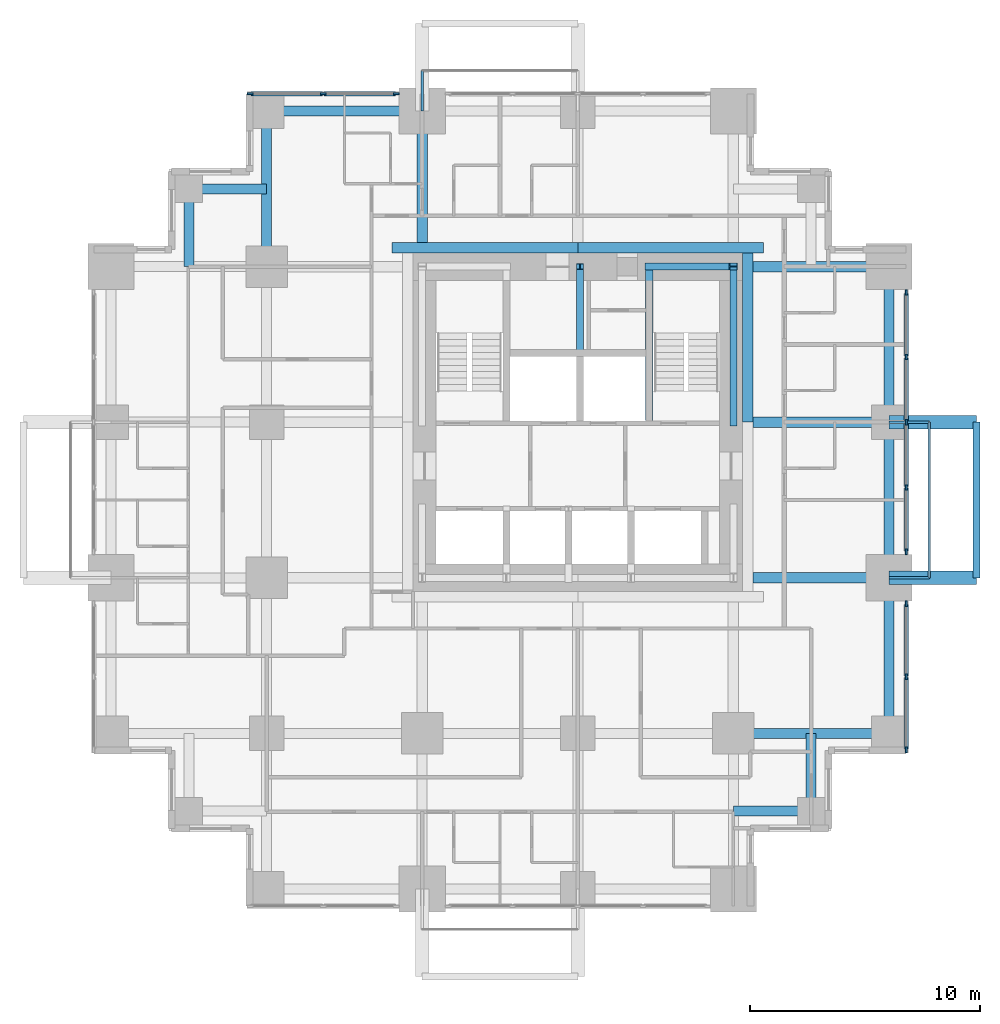
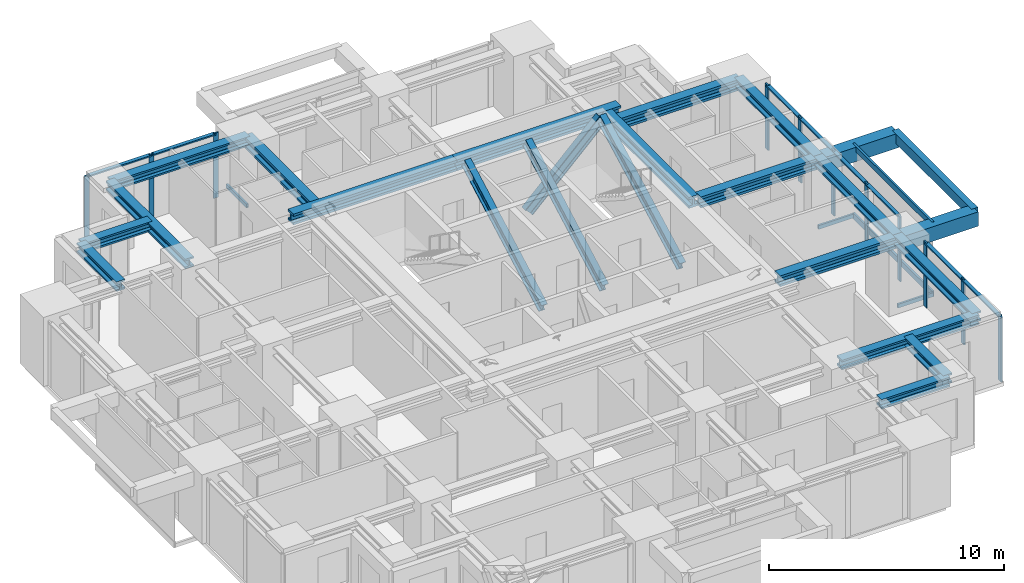
# One storey, part 3 of 10: 28 members, 20 beams, 3 elements without a shape of their own.
"""IFC4 building model written with IfcOpenShell, lengths in metres."""

from ifc_helpers import new_model, si_unit, direction, frame, origin, origin_2d, place, context, subcontext, project, spatial, rectangle, hollow_rectangle, i_section, extrude, material, material_profile, profile_set, type_object, element, aggregate, save


model = new_model("IFC4")

# Units and contexts
model_context = context("Model", 3, precision=1e-05, world=origin(), true_north=direction((0.0, 1.0)))
body_context = subcontext(model_context, "Body", "Model", "MODEL_VIEW")
ifc_project = project(units=[si_unit("LENGTHUNIT", "METRE"), si_unit("AREAUNIT", "SQUARE_METRE"), si_unit("VOLUMEUNIT", "CUBIC_METRE"), si_unit("PLANEANGLEUNIT", "RADIAN"), si_unit("MASSUNIT", "GRAM", prefix="KILO")], contexts=[model_context])

# Site, building, storey
site_placement = place(None, origin())
site = spatial("IfcSite", under=ifc_project, at=site_placement, CompositionType="ELEMENT")
building_placement = place(site_placement, origin())
building = spatial("IfcBuilding", under=site, at=building_placement, Name="Nyansa Garden Tower", CompositionType="ELEMENT")
storey_placement = place(building_placement, frame((0.0, 0.0, 145.800048828125)))
storey = spatial("IfcBuildingStorey", under=building, at=storey_placement, Name="L39", CompositionType="ELEMENT", Elevation=145.800048828125)

# Beams
ifc_material_1 = material(Name="Concrete C70/85", Category="concrete")
ifc_material_profile_1 = material_profile(ifc_material_1, rectangle(XDim=0.60009765625, YDim=0.75, at=origin_2d()), Name="RC 600x750")
ifc_profile_set_1 = profile_set([ifc_material_profile_1], Name="Concrete C70/85")
beam_type_1 = type_object("IfcBeamType", Name="Balcony cantilever beam CB1 RC 600x750", PredefinedType="BEAM", material=ifc_profile_set_1)
for number, where, z_axis, x_axis, name in (
    (1, (33.75, 13.5, 2.98486328125), (1.0, 0.0, 0.0), (0.0, 1.0, 0.0), "Balcony cantilever beam L40"),
    (2, (33.75, 20.25, 2.98486328125), (1.0, 0.0, 0.0), (0.0, 1.0, 0.0), "Balcony cantilever beam L40"),
):
    element("IfcBeam", number, at=place(storey_placement, frame(where, z_axis=z_axis, x_axis=x_axis)), inside=storey, type_object=beam_type_1, Name=name, PredefinedType="BEAM", context=body_context, shape_type="SweptSolid", body=[
        extrude(rectangle(XDim=0.60009765625, YDim=0.75, at=origin_2d()), origin(), (0.0, 0.0, 1.0), 3.800048828125),
    ])
ifc_material_2 = material(Name="Concrete C70/85", Category="concrete")
ifc_material_profile_2 = material_profile(ifc_material_2, rectangle(XDim=0.300048828125, YDim=0.5, at=origin_2d()), Name="RC 300x500")
ifc_profile_set_2 = profile_set([ifc_material_profile_2], Name="Concrete C70/85")
beam_type_2 = type_object("IfcBeamType", Name="Balcony edge beam BE1 RC 300x500", PredefinedType="BEAM", material=ifc_profile_set_2)
beam_1_placement = place(storey_placement, frame((37.550048828125, 13.5, 3.10986328125), z_axis=(0.0, 1.0, 0.0), x_axis=(-1.0, 0.0, 0.0)))
element("IfcBeam", 3, at=beam_1_placement, inside=storey, type_object=beam_type_2, Name="Balcony edge beam L40", PredefinedType="BEAM", context=body_context, shape_type="SweptSolid", body=[
    extrude(rectangle(XDim=0.300048828125, YDim=0.5, at=origin_2d()), origin(), (0.0, 0.0, 1.0), 6.75),
])

# Curtain wall, members
ifc_material_3 = material(Name="Black anodised aluminium, dark tinted double glazing", Category="aluminium")
curtain_wall_type = type_object("IfcCurtainWallType", Name="Inner skin curtain wall ISW-C", PredefinedType="USERDEFINED", material=ifc_material_3)
curtain_wall_1_placement = place(storey_placement, origin())
curtain_wall_1 = element("IfcCurtainWall", 4, at=curtain_wall_1_placement, inside=storey, type_object=curtain_wall_type, Name="Inner skin curtain wall L39 E", ObjectType="UNITISED CURTAIN WALL", PredefinedType="USERDEFINED")
ifc_material_4 = material(Name="Black anodised aluminium", Category="aluminium")
ifc_material_profile_3 = material_profile(ifc_material_4, rectangle(XDim=0.070068359375, YDim=0.25, at=origin_2d()), Name="Mullion 250x70")
ifc_profile_set_3 = profile_set([ifc_material_profile_3], Name="Black anodised aluminium")
member_type_1 = type_object("IfcMemberType", Name="Mullion ISW-C 250x70", PredefinedType="MULLION", material=ifc_profile_set_3)
member_1_placement = place(storey_placement, frame((34.5, 6.034912109375, 0.0), z_axis=(0.0, 0.0, 1.0), x_axis=(-1.0, 0.0, 0.0)))
member_1 = element("IfcMember", 5, at=member_1_placement, type_object=member_type_1, Name="ISW-C mullion 1", PredefinedType="MULLION", context=body_context, shape_type="SweptSolid", body=[
    extrude(rectangle(XDim=0.070068359375, YDim=0.25, at=origin_2d()), origin(), (0.0, 0.0, 1.0), 3.375),
])
member_2_placement = place(storey_placement, frame((34.5, 9.205078125, 0.0), z_axis=(0.0, 0.0, 1.0), x_axis=(-1.0, 0.0, 0.0)))
member_2 = element("IfcMember", 6, at=member_2_placement, type_object=member_type_1, Name="ISW-C mullion 2", PredefinedType="MULLION", context=body_context, shape_type="SweptSolid", body=[
    extrude(rectangle(XDim=0.070068359375, YDim=0.25, at=origin_2d()), origin(), (0.0, 0.0, 1.0), 3.375),
])
member_3_placement = place(storey_placement, frame((34.5, 12.375, 0.0), z_axis=(0.0, 0.0, 1.0), x_axis=(-1.0, 0.0, 0.0)))
member_3 = element("IfcMember", 7, at=member_3_placement, type_object=member_type_1, Name="ISW-C mullion 3", PredefinedType="MULLION", context=body_context, shape_type="SweptSolid", body=[
    extrude(rectangle(XDim=0.070068359375, YDim=0.25, at=origin_2d()), origin(), (0.0, 0.0, 1.0), 3.375),
])

curtain_wall_2_placement = place(storey_placement, origin())
curtain_wall_2 = element("IfcCurtainWall", 8, at=curtain_wall_2_placement, inside=storey, type_object=curtain_wall_type, Name="Inner skin curtain wall L39 E", ObjectType="UNITISED CURTAIN WALL", PredefinedType="USERDEFINED")
member_4_placement = place(storey_placement, frame((34.5, 14.625, 0.0), z_axis=(0.0, 0.0, 1.0), x_axis=(-1.0, 0.0, 0.0)))
member_4 = element("IfcMember", 9, at=member_4_placement, type_object=member_type_1, Name="ISW-C mullion 1", PredefinedType="MULLION", context=body_context, shape_type="SweptSolid", body=[
    extrude(rectangle(XDim=0.070068359375, YDim=0.25, at=origin_2d()), origin(), (0.0, 0.0, 1.0), 3.375),
])
member_5_placement = place(storey_placement, frame((34.5, 17.419921875, 0.0), z_axis=(0.0, 0.0, 1.0), x_axis=(-1.0, 0.0, 0.0)))
member_5 = element("IfcMember", 10, at=member_5_placement, type_object=member_type_1, Name="ISW-C mullion 2", PredefinedType="MULLION", context=body_context, shape_type="SweptSolid", body=[
    extrude(rectangle(XDim=0.070068359375, YDim=0.25, at=origin_2d()), origin(), (0.0, 0.0, 1.0), 3.375),
])
member_6_placement = place(storey_placement, frame((34.5, 20.25, 0.0), z_axis=(0.0, 0.0, 1.0), x_axis=(-1.0, 0.0, 0.0)))
member_6 = element("IfcMember", 11, at=member_6_placement, type_object=member_type_1, Name="ISW-C mullion 3", PredefinedType="MULLION", context=body_context, shape_type="SweptSolid", body=[
    extrude(rectangle(XDim=0.070068359375, YDim=0.25, at=origin_2d()), origin(), (0.0, 0.0, 1.0), 3.375),
])
member_7_placement = place(storey_placement, frame((34.5, 23.080078125, 0.0), z_axis=(0.0, 0.0, 1.0), x_axis=(-1.0, 0.0, 0.0)))
member_7 = element("IfcMember", 12, at=member_7_placement, type_object=member_type_1, Name="ISW-C mullion 4", PredefinedType="MULLION", context=body_context, shape_type="SweptSolid", body=[
    extrude(rectangle(XDim=0.070068359375, YDim=0.25, at=origin_2d()), origin(), (0.0, 0.0, 1.0), 3.375),
])
member_8_placement = place(storey_placement, frame((34.5, 25.875, 0.0), z_axis=(0.0, 0.0, 1.0), x_axis=(-1.0, 0.0, 0.0)))
member_8 = element("IfcMember", 13, at=member_8_placement, type_object=member_type_1, Name="ISW-C mullion 5", PredefinedType="MULLION", context=body_context, shape_type="SweptSolid", body=[
    extrude(rectangle(XDim=0.070068359375, YDim=0.25, at=origin_2d()), origin(), (0.0, 0.0, 1.0), 3.375),
])

curtain_wall_3_placement = place(storey_placement, origin())
curtain_wall_3 = element("IfcCurtainWall", 14, at=curtain_wall_3_placement, inside=storey, type_object=curtain_wall_type, Name="Inner skin curtain wall L39 N", ObjectType="UNITISED CURTAIN WALL", PredefinedType="USERDEFINED")
member_9_placement = place(storey_placement, frame((12.375, 34.5, 0.0), z_axis=(0.0, 0.0, 1.0), x_axis=(0.0, -1.0, 0.0)))
member_9 = element("IfcMember", 15, at=member_9_placement, type_object=member_type_1, Name="ISW-C mullion 1", PredefinedType="MULLION", context=body_context, shape_type="SweptSolid", body=[
    extrude(rectangle(XDim=0.070068359375, YDim=0.25, at=origin_2d()), origin(), (0.0, 0.0, 1.0), 3.375),
])
member_10_placement = place(storey_placement, frame((9.205078125, 34.5, 0.0), z_axis=(0.0, 0.0, 1.0), x_axis=(0.0, -1.0, 0.0)))
member_10 = element("IfcMember", 16, at=member_10_placement, type_object=member_type_1, Name="ISW-C mullion 2", PredefinedType="MULLION", context=body_context, shape_type="SweptSolid", body=[
    extrude(rectangle(XDim=0.070068359375, YDim=0.25, at=origin_2d()), origin(), (0.0, 0.0, 1.0), 3.375),
])
member_11_placement = place(storey_placement, frame((6.034912109375, 34.5, 0.0), z_axis=(0.0, 0.0, 1.0), x_axis=(0.0, -1.0, 0.0)))
member_11 = element("IfcMember", 17, at=member_11_placement, type_object=member_type_1, Name="ISW-C mullion 3", PredefinedType="MULLION", context=body_context, shape_type="SweptSolid", body=[
    extrude(rectangle(XDim=0.070068359375, YDim=0.25, at=origin_2d()), origin(), (0.0, 0.0, 1.0), 3.375),
])

# Members
ifc_material_5 = material(Name="Steel S355, black powder coated", Category="steel")
ifc_material_profile_4 = material_profile(ifc_material_5, hollow_rectangle(XDim=0.10009765625, YDim=0.199951171875, WallThickness=0.008056640625, at=origin_2d()), Name="RHS 200x100x8")
ifc_profile_set_4 = profile_set([ifc_material_profile_4], Name="Steel S355, black powder coated")
member_type_2 = type_object("IfcMemberType", Name="Outer skin bracket arm RHS 200x100x8", PredefinedType="USERDEFINED", material=ifc_profile_set_4)
for number, where, z_axis, x_axis, name in (
    (18, (33.75, 13.5, -0.375), (1.0, 0.0, 0.0), (0.0, 1.0, 0.0), "Outer skin bracket arm"),
    (19, (33.75, 20.25, -0.375), (1.0, 0.0, 0.0), (0.0, 1.0, 0.0), "Outer skin bracket arm"),
    (20, (13.5, 33.75, -0.375), (0.0, 1.0, 0.0), (-1.0, 0.0, 0.0), "Outer skin bracket arm"),
):
    element("IfcMember", number, at=place(storey_placement, frame(where, z_axis=z_axis, x_axis=x_axis)), inside=storey, type_object=member_type_2, Name=name, ObjectType="OUTER SKIN BRACKET", PredefinedType="USERDEFINED", context=body_context, shape_type="SweptSolid", body=[
        extrude(hollow_rectangle(XDim=0.10009765625, YDim=0.199951171875, WallThickness=0.008056640625, at=origin_2d()), origin(), (0.0, 0.0, 1.0), 1.75),
    ])
ifc_material_6 = material(Name="Steel S355, black powder coated", Category="steel")
ifc_material_profile_5 = material_profile(ifc_material_6, hollow_rectangle(XDim=0.10009765625, YDim=0.300048828125, WallThickness=0.010009765625, at=origin_2d()), Name="RHS 300x100x10")
ifc_profile_set_5 = profile_set([ifc_material_profile_5], Name="Steel S355, black powder coated")
member_type_3 = type_object("IfcMemberType", Name="Outer skin rail RHS 300x100x10", PredefinedType="USERDEFINED", material=ifc_profile_set_5)
for number, where, z_axis, x_axis, name in (
    (21, (35.5, 13.5, -0.375), (0.0, 1.0, 0.0), (-1.0, 0.0, 0.0), "Outer skin rail L39"),
    (22, (35.5, 13.5, 3.224853515625), (0.0, 1.0, 0.0), (-1.0, 0.0, 0.0), "Outer skin rail L39 head"),
):
    element("IfcMember", number, at=place(storey_placement, frame(where, z_axis=z_axis, x_axis=x_axis)), inside=storey, type_object=member_type_3, Name=name, ObjectType="OUTER SKIN RAIL", PredefinedType="USERDEFINED", context=body_context, shape_type="SweptSolid", body=[
        extrude(hollow_rectangle(XDim=0.10009765625, YDim=0.300048828125, WallThickness=0.010009765625, at=origin_2d()), origin(), (0.0, 0.0, 1.0), 6.75),
    ])
ifc_material_7 = material(Name="Steel S355", Category="steel")
ifc_material_profile_6 = material_profile(ifc_material_7, i_section(OverallWidth=0.305908203125, OverallDepth=0.52392578125, WebThickness=0.02099609375, FlangeThickness=0.0400390625, FilletRadius=0.027099609375, at=origin_2d()), Name="HE 500 M")
ifc_profile_set_6 = profile_set([ifc_material_profile_6], Name="Steel S355")
member_type_4 = type_object("IfcMemberType", Name="Perimeter brace HE 500 M", PredefinedType="BRACE", material=ifc_profile_set_6)
member_12_placement = place(storey_placement, frame((23.35009765625, 27.0, 0.0), z_axis=(0.711971340796, 0.0, 0.702208523079), x_axis=(0.0, 1.0, 0.0)))
element("IfcMember", 23, at=member_12_placement, inside=storey, type_object=member_type_4, Name="Core brace CN4 L39", PredefinedType="BRACE", context=body_context, shape_type="SweptSolid", body=[
    extrude(i_section(OverallWidth=0.305908203125, OverallDepth=0.52392578125, WebThickness=0.02099609375, FlangeThickness=0.0400390625, FilletRadius=0.027099609375, at=origin_2d()), origin(), (0.0, 0.0, 1.0), 5.12646484375),
])
member_13_placement = place(storey_placement, frame((27.0, 20.199951171875, 0.0), z_axis=(0.0, 0.883797178129, 0.467870225524), x_axis=(-1.0, 0.0, 0.0)))
element("IfcMember", 24, at=member_13_placement, inside=storey, type_object=member_type_4, Name="Core brace CE8 L39", PredefinedType="BRACE", context=body_context, shape_type="SweptSolid", body=[
    extrude(i_section(OverallWidth=0.305908203125, OverallDepth=0.52392578125, WebThickness=0.02099609375, FlangeThickness=0.0400390625, FilletRadius=0.027099609375, at=origin_2d()), origin(), (0.0, 0.0, 1.0), 7.694091796875),
])
for number, where, z_axis, x_axis, name in (
    (25, (23.35009765625, 20.449951171875, 0.0), (0.0, 0.876366901673, 0.481644115143), (-1.0, 0.0, 0.0), "Core brace CES10 L39"),
    (26, (20.35009765625, 20.449951171875, 0.0), (0.0, 0.876366901673, 0.481644115143), (-1.0, 0.0, 0.0), "Core brace CNW14 L39"),
):
    element("IfcMember", number, at=place(storey_placement, frame(where, z_axis=z_axis, x_axis=x_axis)), inside=storey, type_object=member_type_4, Name=name, PredefinedType="BRACE", context=body_context, shape_type="SweptSolid", body=[
        extrude(i_section(OverallWidth=0.305908203125, OverallDepth=0.52392578125, WebThickness=0.02099609375, FlangeThickness=0.0400390625, FilletRadius=0.027099609375, at=origin_2d()), origin(), (0.0, 0.0, 1.0), 7.47412109375),
    ])

# Beams
ifc_material_8 = material(Name="Steel S355", Category="steel")
ifc_material_profile_7 = material_profile(ifc_material_8, i_section(OverallWidth=0.431884765625, OverallDepth=0.498046875, WebThickness=0.0556640625, FlangeThickness=0.0888671875, FilletRadius=0.014892578125, at=origin_2d()), Name="HD 400x744")
ifc_profile_set_7 = profile_set([ifc_material_profile_7], Name="Steel S355")
beam_type_3 = type_object("IfcBeamType", Name="Steel beam SBC1-744 HD 400x744", PredefinedType="BEAM", material=ifc_profile_set_7)
for number, where, z_axis, x_axis, name in (
    (27, (6.75, 27.0, 3.1259765625), (0.0, 1.0, 0.0), (-1.0, 0.0, 0.0), "Steel beam 3/H-3/J L40"),
    (28, (27.0, 6.75, 3.1259765625), (1.0, 0.0, 0.0), (0.0, 1.0, 0.0), "Steel beam 6/E-7/E L40"),
):
    element("IfcBeam", number, at=place(storey_placement, frame(where, z_axis=z_axis, x_axis=x_axis)), inside=storey, type_object=beam_type_3, Name=name, PredefinedType="BEAM", context=body_context, shape_type="SweptSolid", body=[
        extrude(i_section(OverallWidth=0.431884765625, OverallDepth=0.498046875, WebThickness=0.0556640625, FlangeThickness=0.0888671875, FilletRadius=0.014892578125, at=origin_2d()), origin(), (0.0, 0.0, 1.0), 6.75),
    ])
ifc_material_9 = material(Name="Steel S355", Category="steel")
ifc_material_profile_8 = material_profile(ifc_material_9, i_section(OverallWidth=0.4541015625, OverallDepth=0.569091796875, WebThickness=0.077880859375, FlangeThickness=0.125, FilletRadius=0.014892578125, at=origin_2d()), Name="HD 400x1086")
ifc_profile_set_8 = profile_set([ifc_material_profile_8], Name="Steel S355")
beam_type_4 = type_object("IfcBeamType", Name="Steel beam SCL-1086 HD 400x1086", PredefinedType="BEAM", material=ifc_profile_set_8)
beam_2_placement = place(storey_placement, frame((13.5, 28.050048828125, 3.09033203125), z_axis=(0.0, 1.0, 0.0), x_axis=(-1.0, 0.0, 0.0)))
element("IfcBeam", 29, at=beam_2_placement, inside=storey, type_object=beam_type_4, Name="Steel beam 4/28.050-4/J L40", PredefinedType="BEAM", context=body_context, shape_type="SweptSolid", body=[
    extrude(i_section(OverallWidth=0.4541015625, OverallDepth=0.569091796875, WebThickness=0.077880859375, FlangeThickness=0.125, FilletRadius=0.014892578125, at=origin_2d()), origin(), (0.0, 0.0, 1.0), 5.699951171875),
])
for number, where, z_axis, x_axis, name in (
    (30, (27.85009765625, 13.5, 3.09033203125), (1.0, 0.0, 0.0), (0.0, 1.0, 0.0), "Steel beam 27.850/F-7/F L40"),
    (31, (27.85009765625, 20.25, 3.09033203125), (1.0, 0.0, 0.0), (0.0, 1.0, 0.0), "Steel beam 27.850/G-7/G L40"),
    (32, (27.85009765625, 27.0, 3.09033203125), (1.0, 0.0, 0.0), (0.0, 1.0, 0.0), "Steel beam 27.850/H-7/H L40"),
):
    element("IfcBeam", number, at=place(storey_placement, frame(where, z_axis=z_axis, x_axis=x_axis)), inside=storey, type_object=beam_type_4, Name=name, PredefinedType="BEAM", context=body_context, shape_type="SweptSolid", body=[
        extrude(i_section(OverallWidth=0.4541015625, OverallDepth=0.569091796875, WebThickness=0.077880859375, FlangeThickness=0.125, FilletRadius=0.014892578125, at=origin_2d()), origin(), (0.0, 0.0, 1.0), 5.89990234375),
    ])
beam_3_placement = place(storey_placement, frame((27.626953125, 20.25, 3.09033203125), z_axis=(0.0, 1.0, 0.0), x_axis=(-1.0, 0.0, 0.0)))
element("IfcBeam", 33, at=beam_3_placement, inside=storey, type_object=beam_type_4, Name="Steel core ledger beam E.2 L40", PredefinedType="BEAM", context=body_context, shape_type="SweptSolid", body=[
    extrude(i_section(OverallWidth=0.4541015625, OverallDepth=0.569091796875, WebThickness=0.077880859375, FlangeThickness=0.125, FilletRadius=0.014892578125, at=origin_2d()), origin(), (0.0, 0.0, 1.0), 7.35009765625),
])
for number, where, z_axis, x_axis, name in (
    (34, (28.300048828125, 27.826904296875, 3.09033203125), (-1.0, 0.0, 0.0), (0.0, -1.0, 0.0), "Steel core ledger beam N.1 L40"),
    (35, (20.25, 27.826904296875, 3.09033203125), (-1.0, 0.0, 0.0), (0.0, -1.0, 0.0), "Steel core ledger beam N.2 L40"),
):
    element("IfcBeam", number, at=place(storey_placement, frame(where, z_axis=z_axis, x_axis=x_axis)), inside=storey, type_object=beam_type_4, Name=name, PredefinedType="BEAM", context=body_context, shape_type="SweptSolid", body=[
        extrude(i_section(OverallWidth=0.4541015625, OverallDepth=0.569091796875, WebThickness=0.077880859375, FlangeThickness=0.125, FilletRadius=0.014892578125, at=origin_2d()), origin(), (0.0, 0.0, 1.0), 8.050048828125),
    ])
ifc_material_10 = material(Name="Steel S355", Category="steel")
ifc_material_profile_9 = material_profile(ifc_material_10, i_section(OverallWidth=0.431884765625, OverallDepth=0.498046875, WebThickness=0.0556640625, FlangeThickness=0.0888671875, FilletRadius=0.014892578125, at=origin_2d()), Name="HD 400x744")
ifc_profile_set_9 = profile_set([ifc_material_profile_9], Name="Steel S355")
beam_type_5 = type_object("IfcBeamType", Name="Steel beam SEBC-744 HD 400x744", PredefinedType="BEAM", material=ifc_profile_set_9)
for number, where, z_axis, x_axis, name in (
    (36, (6.75, 33.75, 3.1259765625), (1.0, 0.0, 0.0), (0.0, 1.0, 0.0), "Steel edge beam 3/J-4/J L40"),
    (37, (33.75, 6.75, 3.1259765625), (0.0, 1.0, 0.0), (-1.0, 0.0, 0.0), "Steel edge beam 7/E-7/F L40"),
    (38, (33.75, 13.5, 3.1259765625), (0.0, 1.0, 0.0), (-1.0, 0.0, 0.0), "Steel edge beam 7/F-7/G L40"),
    (39, (33.75, 20.25, 3.1259765625), (0.0, 1.0, 0.0), (-1.0, 0.0, 0.0), "Steel edge beam 7/G-7/H L40"),
):
    element("IfcBeam", number, at=place(storey_placement, frame(where, z_axis=z_axis, x_axis=x_axis)), inside=storey, type_object=beam_type_5, Name=name, PredefinedType="BEAM", context=body_context, shape_type="SweptSolid", body=[
        extrude(i_section(OverallWidth=0.431884765625, OverallDepth=0.498046875, WebThickness=0.0556640625, FlangeThickness=0.0888671875, FilletRadius=0.014892578125, at=origin_2d()), origin(), (0.0, 0.0, 1.0), 6.75),
    ])
ifc_material_11 = material(Name="Steel S355", Category="steel")
ifc_material_profile_10 = material_profile(ifc_material_11, i_section(OverallWidth=0.431884765625, OverallDepth=0.498046875, WebThickness=0.0556640625, FlangeThickness=0.0888671875, FilletRadius=0.014892578125, at=origin_2d()), Name="HD 400x744")
ifc_profile_set_10 = profile_set([ifc_material_profile_10], Name="Steel S355")
beam_type_6 = type_object("IfcBeamType", Name="Steel beam SSB1-744 HD 400x744", PredefinedType="BEAM", material=ifc_profile_set_10)
for number, where, z_axis, x_axis, name in (
    (40, (30.375, 3.375, 3.1259765625), (0.0, 1.0, 0.0), (-1.0, 0.0, 0.0), "Steel step beam 30.375/3.375 L40"),
    (41, (30.375, 3.375, 3.1259765625), (-1.0, 0.0, 0.0), (0.0, -1.0, 0.0), "Steel step beam 30.375/3.375 L40"),
    (42, (3.375, 30.375, 3.1259765625), (0.0, -1.0, 0.0), (1.0, 0.0, 0.0), "Steel step beam 3.375/30.375 L40"),
    (43, (3.375, 30.375, 3.1259765625), (1.0, 0.0, 0.0), (0.0, 1.0, 0.0), "Steel step beam 3.375/30.375 L40"),
):
    element("IfcBeam", number, at=place(storey_placement, frame(where, z_axis=z_axis, x_axis=x_axis)), inside=storey, type_object=beam_type_6, Name=name, PredefinedType="BEAM", context=body_context, shape_type="SweptSolid", body=[
        extrude(i_section(OverallWidth=0.431884765625, OverallDepth=0.498046875, WebThickness=0.0556640625, FlangeThickness=0.0888671875, FilletRadius=0.014892578125, at=origin_2d()), origin(), (0.0, 0.0, 1.0), 3.375),
    ])

# Member
ifc_material_12 = material(Name="Black anodised aluminium", Category="aluminium")
ifc_material_profile_11 = material_profile(ifc_material_12, rectangle(XDim=0.179931640625, YDim=0.070068359375, at=origin_2d()), Name="Transom 180x70")
ifc_profile_set_11 = profile_set([ifc_material_profile_11], Name="Black anodised aluminium")
member_type_5 = type_object("IfcMemberType", Name="Transom ISW-C 180x70", PredefinedType="USERDEFINED", material=ifc_profile_set_11)
member_14_placement = place(storey_placement, frame((34.5, 6.070068359375, 3.33984375), z_axis=(0.0, 1.0, 0.0), x_axis=(-1.0, 0.0, 0.0)))
member_14 = element("IfcMember", 44, at=member_14_placement, type_object=member_type_5, Name="ISW-C transom 1", ObjectType="TRANSOM", PredefinedType="USERDEFINED", context=body_context, shape_type="SweptSolid", body=[
    extrude(rectangle(XDim=0.179931640625, YDim=0.070068359375, at=origin_2d()), origin(), (0.0, 0.0, 1.0), 3.099853515625),
])

member_15_placement = place(storey_placement, frame((34.5, 9.239990234375, 3.33984375), z_axis=(0.0, 1.0, 0.0), x_axis=(-1.0, 0.0, 0.0)))
member_15 = element("IfcMember", 45, at=member_15_placement, type_object=member_type_5, Name="ISW-C transom 2", ObjectType="TRANSOM", PredefinedType="USERDEFINED", context=body_context, shape_type="SweptSolid", body=[
    extrude(rectangle(XDim=0.179931640625, YDim=0.070068359375, at=origin_2d()), origin(), (0.0, 0.0, 1.0), 3.10009765625),
])

aggregate(curtain_wall_1, [member_1, member_2, member_3, member_14, member_15])

member_16_placement = place(storey_placement, frame((34.5, 14.659912109375, 3.33984375), z_axis=(0.0, 1.0, 0.0), x_axis=(-1.0, 0.0, 0.0)))
member_16 = element("IfcMember", 46, at=member_16_placement, type_object=member_type_5, Name="ISW-C transom 1", ObjectType="TRANSOM", PredefinedType="USERDEFINED", context=body_context, shape_type="SweptSolid", body=[
    extrude(rectangle(XDim=0.179931640625, YDim=0.070068359375, at=origin_2d()), origin(), (0.0, 0.0, 1.0), 2.72509765625),
])

member_17_placement = place(storey_placement, frame((34.5, 17.455078125, 3.33984375), z_axis=(0.0, 1.0, 0.0), x_axis=(-1.0, 0.0, 0.0)))
member_17 = element("IfcMember", 47, at=member_17_placement, type_object=member_type_5, Name="ISW-C transom 2", ObjectType="TRANSOM", PredefinedType="USERDEFINED", context=body_context, shape_type="SweptSolid", body=[
    extrude(rectangle(XDim=0.179931640625, YDim=0.070068359375, at=origin_2d()), origin(), (0.0, 0.0, 1.0), 2.760009765625),
])

member_18_placement = place(storey_placement, frame((34.5, 20.284912109375, 3.33984375), z_axis=(0.0, 1.0, 0.0), x_axis=(-1.0, 0.0, 0.0)))
member_18 = element("IfcMember", 48, at=member_18_placement, type_object=member_type_5, Name="ISW-C transom 3", ObjectType="TRANSOM", PredefinedType="USERDEFINED", context=body_context, shape_type="SweptSolid", body=[
    extrude(rectangle(XDim=0.179931640625, YDim=0.070068359375, at=origin_2d()), origin(), (0.0, 0.0, 1.0), 2.760009765625),
])

member_19_placement = place(storey_placement, frame((34.5, 23.114990234375, 3.33984375), z_axis=(0.0, 1.0, 0.0), x_axis=(-1.0, 0.0, 0.0)))
member_19 = element("IfcMember", 49, at=member_19_placement, type_object=member_type_5, Name="ISW-C transom 4", ObjectType="TRANSOM", PredefinedType="USERDEFINED", context=body_context, shape_type="SweptSolid", body=[
    extrude(rectangle(XDim=0.179931640625, YDim=0.070068359375, at=origin_2d()), origin(), (0.0, 0.0, 1.0), 2.72509765625),
])

aggregate(curtain_wall_2, [member_4, member_5, member_6, member_7, member_8, member_16, member_17, member_18, member_19])

member_20_placement = place(storey_placement, frame((12.340087890625, 34.5, 3.33984375), z_axis=(-1.0, 0.0, 0.0), x_axis=(0.0, -1.0, 0.0)))
member_20 = element("IfcMember", 50, at=member_20_placement, type_object=member_type_5, Name="ISW-C transom 1", ObjectType="TRANSOM", PredefinedType="USERDEFINED", context=body_context, shape_type="SweptSolid", body=[
    extrude(rectangle(XDim=0.179931640625, YDim=0.070068359375, at=origin_2d()), origin(), (0.0, 0.0, 1.0), 3.10009765625),
])

member_21_placement = place(storey_placement, frame((9.169921875, 34.5, 3.33984375), z_axis=(-1.0, 0.0, 0.0), x_axis=(0.0, -1.0, 0.0)))
member_21 = element("IfcMember", 51, at=member_21_placement, type_object=member_type_5, Name="ISW-C transom 2", ObjectType="TRANSOM", PredefinedType="USERDEFINED", context=body_context, shape_type="SweptSolid", body=[
    extrude(rectangle(XDim=0.179931640625, YDim=0.070068359375, at=origin_2d()), origin(), (0.0, 0.0, 1.0), 3.099853515625),
])

aggregate(curtain_wall_3, [member_9, member_10, member_11, member_20, member_21])

save(model, "model.ifc")
